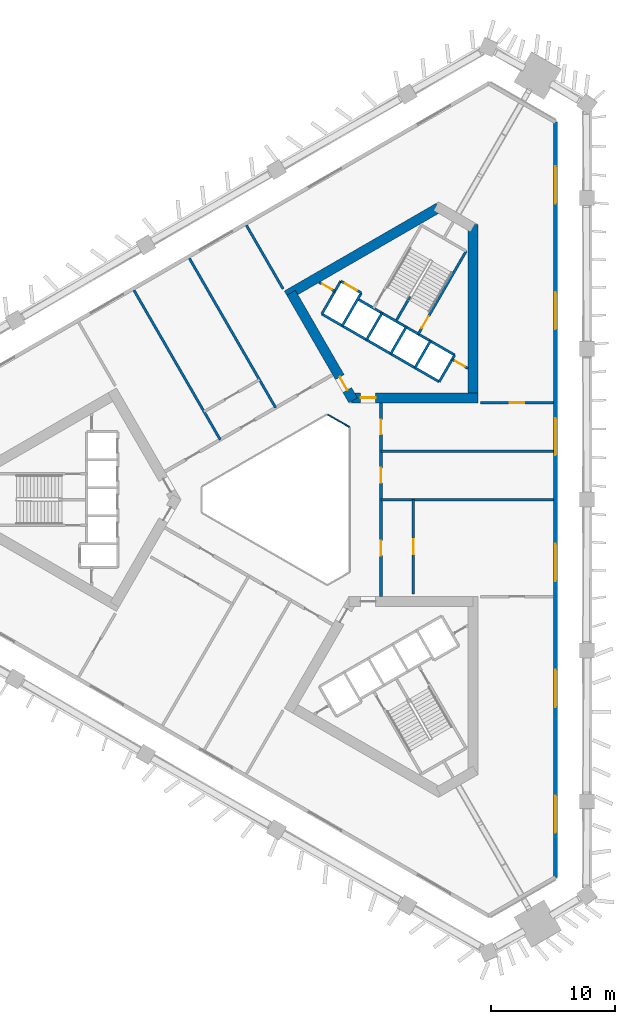
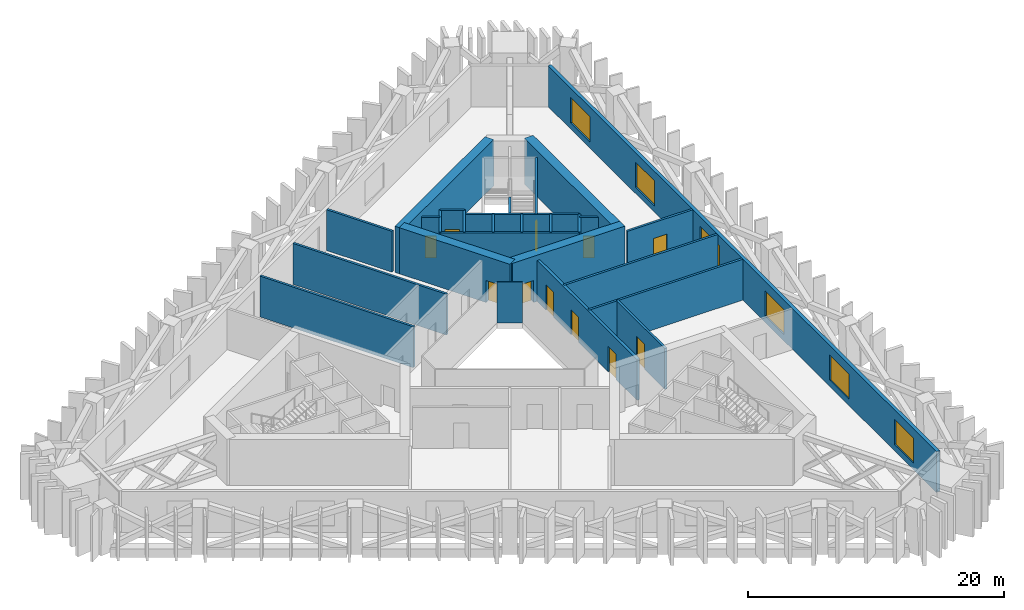
# One storey, part 6 of 9: 27 walls, 11 doors, 6 windows, 17 openings.
"""IFC4 building model written with IfcOpenShell, lengths in metres."""

from ifc_helpers import new_model, si_unit, direction, frame, frame_2d, origin, place, context, subcontext, project, spatial, rectangle, extrude, material, layer, layer_set, type_object, element, fill, save


model = new_model("IFC4")

# Units and contexts
model_context = context("Model", 3, precision=1e-05, world=origin(), true_north=direction((0.0, 1.0)))
body_context = subcontext(model_context, "Body", "Model", "MODEL_VIEW")
ifc_project = project(units=[si_unit("LENGTHUNIT", "METRE"), si_unit("AREAUNIT", "SQUARE_METRE"), si_unit("VOLUMEUNIT", "CUBIC_METRE"), si_unit("PLANEANGLEUNIT", "RADIAN"), si_unit("MASSUNIT", "GRAM", prefix="KILO")], contexts=[model_context])

# Site, building, storey
site_placement = place(None, origin())
site = spatial("IfcSite", under=ifc_project, at=site_placement, CompositionType="ELEMENT")
building_placement = place(site_placement, origin())
building = spatial("IfcBuilding", under=site, at=building_placement, Name="Jabali Bay Hotel Tower and Convention Centre", CompositionType="ELEMENT")
storey_placement = place(building_placement, frame((0.0, 0.0, 48.5)))
storey = spatial("IfcBuildingStorey", under=building, at=storey_placement, Name="L10", CompositionType="ELEMENT", Elevation=48.5)

# Wall
ifc_material_1 = material(Name="Fire-resistant glazing", Category="glass")
ifc_layer_1 = layer(ifc_material_1, 0.10009765625)
ifc_layer_set_1 = layer_set([ifc_layer_1], Name="Fire-resistant glazing")
wall_type_1 = type_object("IfcWallType", Name="Atrium glazed screen 100", PredefinedType="PARTITIONING", material=ifc_layer_set_1)
wall_1_placement = place(storey_placement, frame((79.530029296875, 85.84619140625, 0.0), z_axis=(0.0, 0.0, 1.0), x_axis=(-0.866041268327, 0.499972520799, 0.0)))
element("IfcWall", 1, at=wall_1_placement, inside=storey, type_object=wall_type_1, Name="Atrium screen 2 L10", PredefinedType="PARTITIONING", context=body_context, shape_type="SweptSolid", body=[
    extrude(rectangle(XDim=2.0, YDim=0.10009765625, at=frame_2d((1.0, 0.0))), origin(), (0.0, 0.0, 1.0), 3.89990234375),
])

# Wall, opening, door
ifc_material_2 = material(Name="Concrete C40", Category="concrete")
ifc_layer_2 = layer(ifc_material_2, 0.199951171875)
ifc_layer_set_2 = layer_set([ifc_layer_2], Name="Concrete C40")
wall_type_2 = type_object("IfcWallType", Name="Core partition wall 200", PredefinedType="PARTITIONING", material=ifc_layer_set_2)
wall_2_placement = place(storey_placement, frame((89.080078125, 90.553955078125, 0.0), z_axis=(0.0, 0.0, 1.0), x_axis=(-0.866022048785, 0.500005810984, 0.0)))
wall_2 = element("IfcWall", 2, at=wall_2_placement, inside=storey, type_object=wall_type_2, Name="Core wall 1.11 L10", PredefinedType="PARTITIONING", context=body_context, shape_type="SweptSolid", body=[
    extrude(rectangle(XDim=1.466796875, YDim=0.199951171875, at=frame_2d((0.7333984375, 0.0))), origin(), (0.0, 0.0, 1.0), 3.89990234375),
])
opening_1_placement = place(wall_2_placement, frame((0.283447265625, 0.0, 0.0)))
opening_1 = element("IfcOpeningElement", 3, at=opening_1_placement, cuts=wall_2, Name="Opening D297", PredefinedType="OPENING", context=body_context, shape_type="SweptSolid", body=[
    extrude(rectangle(XDim=0.89990234375, YDim=2.10009765625, at=frame_2d((0.449951171875, 1.050048828125))), frame((0.0, 0.1103515625, 0.0), z_axis=(0.0, -1.0, 0.0), x_axis=(1.0, 0.0, 0.0)), (0.0, 0.0, 1.0), 0.220947265625),
])
ifc_material_3 = material(Name="Fire-rated steel door", Category="steel")
door_type_1 = type_object("IfcDoorType", Name="Vestibule fire door 900 x 2100", OperationType="NOTDEFINED", PredefinedType="NOTDEFINED", material=ifc_material_3)
door_1_placement = place(opening_1_placement, origin())
door_1 = element("IfcDoor", 4, at=door_1_placement, inside=storey, type_object=door_type_1, Name="Vestibule fire door D297", OperationType="SINGLE_SWING_LEFT", OverallHeight=2.10009765625, OverallWidth=0.89990234375, PredefinedType="NOTDEFINED", context=body_context, shape_type="SweptSolid", body=[
    extrude(rectangle(XDim=0.89990234375, YDim=2.10009765625, at=frame_2d((0.449951171875, 1.050048828125))), frame((0.0, 0.02490234375, 0.0), z_axis=(0.0, -1.0, 0.0), x_axis=(1.0, 0.0, 0.0)), (0.0, 0.0, 1.0), 0.050048828125),
])
fill(opening_1, door_1)

wall_3_placement = place(storey_placement, frame((78.380126953125, 96.754638671875, 0.0), z_axis=(0.0, 0.0, 1.0), x_axis=(-0.866003949776, 0.500037157592, 0.0)))
wall_3 = element("IfcWall", 5, at=wall_3_placement, inside=storey, type_object=wall_type_2, Name="Core wall 1.12 L10", PredefinedType="PARTITIONING", context=body_context, shape_type="SweptSolid", body=[
    extrude(rectangle(XDim=1.455078125, YDim=0.199951171875, at=frame_2d((0.7275390625, 0.0))), origin(), (0.0, 0.0, 1.0), 3.89990234375),
])
opening_2_placement = place(wall_3_placement, frame((0.277587890625, 0.0, 0.0)))
opening_2 = element("IfcOpeningElement", 6, at=opening_2_placement, cuts=wall_3, Name="Opening D296", PredefinedType="OPENING", context=body_context, shape_type="SweptSolid", body=[
    extrude(rectangle(XDim=0.89990234375, YDim=2.10009765625, at=frame_2d((0.449951171875, 1.050048828125))), frame((0.0, 0.1103515625, 0.0), z_axis=(0.0, -1.0, 0.0), x_axis=(1.0, 0.0, 0.0)), (0.0, 0.0, 1.0), 0.220947265625),
])
door_2_placement = place(opening_2_placement, origin())
door_2 = element("IfcDoor", 7, at=door_2_placement, inside=storey, type_object=door_type_1, Name="Vestibule fire door D296", OperationType="SINGLE_SWING_LEFT", OverallHeight=2.10009765625, OverallWidth=0.89990234375, PredefinedType="NOTDEFINED", context=body_context, shape_type="SweptSolid", body=[
    extrude(rectangle(XDim=0.89990234375, YDim=2.10009765625, at=frame_2d((0.449951171875, 1.050048828125))), frame((0.0, 0.02490234375, 0.0), z_axis=(0.0, -1.0, 0.0), x_axis=(1.0, 0.0, 0.0)), (0.0, 0.0, 1.0), 0.050048828125),
])
fill(opening_2, door_2)

# Walls
ifc_layer_3 = layer(ifc_material_2, 0.199951171875)
ifc_layer_set_3 = layer_set([ifc_layer_3], Name="Concrete C40")
wall_type_3 = type_object("IfcWallType", Name="Core stair wall 200", PredefinedType="SOLIDWALL", material=ifc_layer_set_3)
for number, where, z_axis, x_axis, name in (
    (8, (86.769775390625, 89.48583984375, 0.0), (0.0, 0.0, 1.0), (0.499961042966, 0.86604789447, 0.0), "Core wall 1.0 L10"),
    (9, (84.8212890625, 90.61083984375, 0.0), (0.0, 0.0, 1.0), (0.499961042966, 0.86604789447, 0.0), "Core wall 1.1 L10"),
):
    element("IfcWall", number, at=place(storey_placement, frame(where, z_axis=z_axis, x_axis=x_axis)), inside=storey, type_object=wall_type_3, Name=name, PredefinedType="SOLIDWALL", context=body_context, shape_type="SweptSolid", body=[
        extrude(rectangle(XDim=2.480224609375, YDim=0.199951171875, at=frame_2d((1.240234375, 0.0))), origin(), (0.0, 0.0, 1.0), 3.89990234375),
    ])

# Wall, opening, door
wall_4_placement = place(storey_placement, frame((85.0869140625, 93.3212890625, 0.0), z_axis=(0.0, 0.0, 1.0), x_axis=(0.500019787375, 0.866013979237, 0.0)))
wall_4 = element("IfcWall", 10, at=wall_4_placement, inside=storey, type_object=wall_type_3, Name="Core wall 1.2 L10", PredefinedType="SOLIDWALL", context=body_context, shape_type="SweptSolid", body=[
    extrude(rectangle(XDim=7.699951171875, YDim=0.199951171875, at=frame_2d((3.85009765625, 0.0))), origin(), (0.0, 0.0, 1.0), 3.89990234375),
])
opening_3_placement = place(wall_4_placement, frame((0.550048828125, 0.0, 0.0)))
opening_3 = element("IfcOpeningElement", 11, at=opening_3_placement, cuts=wall_4, Name="Opening D299", PredefinedType="OPENING", context=body_context, shape_type="SweptSolid", body=[
    extrude(rectangle(XDim=1.10009765625, YDim=2.10009765625, at=frame_2d((0.550048828125, 1.050048828125))), frame((0.0, 0.1103515625, 0.0), z_axis=(0.0, -1.0, 0.0), x_axis=(1.0, 0.0, 0.0)), (0.0, 0.0, 1.0), 0.220947265625),
])
door_type_2 = type_object("IfcDoorType", Name="Stair fire door 1100 x 2100", OperationType="NOTDEFINED", PredefinedType="NOTDEFINED", material=ifc_material_3)
door_3_placement = place(opening_3_placement, origin())
door_3 = element("IfcDoor", 12, at=door_3_placement, inside=storey, type_object=door_type_2, Name="Stair fire door D299", OperationType="SINGLE_SWING_LEFT", OverallHeight=2.10009765625, OverallWidth=1.10009765625, PredefinedType="NOTDEFINED", context=body_context, shape_type="SweptSolid", body=[
    extrude(rectangle(XDim=1.10009765625, YDim=2.10009765625, at=frame_2d((0.550048828125, 1.050048828125))), frame((0.0, 0.02490234375, 0.0), z_axis=(0.0, -1.0, 0.0), x_axis=(1.0, 0.0, 0.0)), (0.0, 0.0, 1.0), 0.050048828125),
])
fill(opening_3, door_3)

# Walls
wall_5_placement = place(storey_placement, frame((82.872802734375, 91.73583984375, 0.0), z_axis=(0.0, 0.0, 1.0), x_axis=(0.499961042966, 0.86604789447, 0.0)))
element("IfcWall", 13, at=wall_5_placement, inside=storey, type_object=wall_type_3, Name="Core wall 1.3 L10", PredefinedType="SOLIDWALL", context=body_context, shape_type="SweptSolid", body=[
    extrude(rectangle(XDim=2.480224609375, YDim=0.199951171875, at=frame_2d((1.240234375, 0.0))), origin(), (0.0, 0.0, 1.0), 3.89990234375),
])
wall_6_placement = place(storey_placement, frame((83.340087890625, 94.4453125, 0.0), z_axis=(0.0, 0.0, 1.0), x_axis=(0.499946605688, 0.86605622881, 0.0)))
element("IfcWall", 14, at=wall_6_placement, inside=storey, type_object=wall_type_3, Name="Core wall 1.4 L10", PredefinedType="SOLIDWALL", context=body_context, shape_type="SweptSolid", body=[
    extrude(rectangle(XDim=2.199951171875, YDim=0.199951171875, at=frame_2d((1.10009765625, 0.0))), origin(), (0.0, 0.0, 1.0), 3.89990234375),
])
wall_7_placement = place(storey_placement, frame((80.924072265625, 92.86083984375, 0.0), z_axis=(0.0, 0.0, 1.0), x_axis=(0.499961042966, 0.86604789447, 0.0)))
element("IfcWall", 15, at=wall_7_placement, inside=storey, type_object=wall_type_3, Name="Core wall 1.6 L10", PredefinedType="SOLIDWALL", context=body_context, shape_type="SweptSolid", body=[
    extrude(rectangle(XDim=2.480224609375, YDim=0.199951171875, at=frame_2d((1.240234375, 0.0))), origin(), (0.0, 0.0, 1.0), 3.89990234375),
])
for number, where, z_axis, x_axis, name in (
    (16, (78.9755859375, 93.98583984375, 0.0), (0.0, 0.0, 1.0), (0.499944174705, 0.866057632134, 0.0), "Core wall 1.8 L10"),
    (17, (77.330078125, 94.93603515625, 0.0), (0.0, 0.0, 1.0), (0.500038867431, 0.8660029625, 0.0), "Core wall 1.9 L10"),
):
    element("IfcWall", number, at=place(storey_placement, frame(where, z_axis=z_axis, x_axis=x_axis)), inside=storey, type_object=wall_type_3, Name=name, PredefinedType="SOLIDWALL", context=body_context, shape_type="SweptSolid", body=[
        extrude(rectangle(XDim=3.050048828125, YDim=0.199951171875, at=frame_2d((1.52490234375, 0.0))), origin(), (0.0, 0.0, 1.0), 3.89990234375),
    ])
wall_8_placement = place(storey_placement, frame((86.769775390625, 89.48583984375, 0.0), z_axis=(0.0, 0.0, 1.0), x_axis=(-0.86601811187, 0.500012629753, 0.0)))
element("IfcWall", 18, at=wall_8_placement, inside=storey, type_object=wall_type_3, Name="Core wall 1.10 L10", PredefinedType="SOLIDWALL", context=body_context, shape_type="SweptSolid", body=[
    extrude(rectangle(XDim=10.900146484375, YDim=0.199951171875, at=frame_2d((5.4501953125, 0.0))), origin(), (0.0, 0.0, 1.0), 3.89990234375),
])
wall_9_placement = place(storey_placement, frame((88.009765625, 91.6337890625, 0.0), z_axis=(0.0, 0.0, 1.0), x_axis=(-0.866024315419, 0.5000018851, 0.0)))
element("IfcWall", 19, at=wall_9_placement, inside=storey, type_object=wall_type_3, Name="Core wall 1.13 L10", PredefinedType="SOLIDWALL", context=body_context, shape_type="SweptSolid", body=[
    extrude(rectangle(XDim=9.0, YDim=0.199951171875, at=frame_2d((4.5, 0.0))), origin(), (0.0, 0.0, 1.0), 3.89990234375),
])

# Wall, opening, door
wall_10_placement = place(storey_placement, frame((80.50048828125, 96.62744140625, 0.0), z_axis=(0.0, 0.0, 1.0), x_axis=(-0.86601224135, 0.500022797313, 0.0)))
wall_10 = element("IfcWall", 20, at=wall_10_placement, inside=storey, type_object=wall_type_3, Name="Core wall 1.14 L10", PredefinedType="SOLIDWALL", context=body_context, shape_type="SweptSolid", body=[
    extrude(rectangle(XDim=1.89990234375, YDim=0.199951171875, at=frame_2d((0.949951171875, 0.0))), origin(), (0.0, 0.0, 1.0), 3.89990234375),
])
opening_4_placement = place(wall_10_placement, frame((0.39990234375, 0.0, 0.0)))
opening_4 = element("IfcOpeningElement", 21, at=opening_4_placement, cuts=wall_10, Name="Opening LD10-L10", PredefinedType="OPENING", context=body_context, shape_type="SweptSolid", body=[
    extrude(rectangle(XDim=1.10009765625, YDim=2.10009765625, at=frame_2d((0.550048828125, 1.050048828125))), frame((0.0, 0.1103515625, 0.0), z_axis=(0.0, -1.0, 0.0), x_axis=(1.0, 0.0, 0.0)), (0.0, 0.0, 1.0), 0.220947265625),
])
ifc_material_4 = material(Name="Stainless steel landing door", Category="steel")
door_type_3 = type_object("IfcDoorType", Name="Landing door 1100 x 2100", OperationType="NOTDEFINED", PredefinedType="NOTDEFINED", material=ifc_material_4)
door_4_placement = place(opening_4_placement, origin())
door_4 = element("IfcDoor", 22, at=door_4_placement, inside=storey, type_object=door_type_3, Name="Landing doors LD10-L10", OperationType="SLIDING_TO_RIGHT", OverallHeight=2.10009765625, OverallWidth=1.10009765625, PredefinedType="NOTDEFINED", context=body_context, shape_type="SweptSolid", body=[
    extrude(rectangle(XDim=1.10009765625, YDim=2.10009765625, at=frame_2d((0.550048828125, 1.050048828125))), frame((0.0, 0.02490234375, 0.0), z_axis=(0.0, -1.0, 0.0), x_axis=(1.0, 0.0, 0.0)), (0.0, 0.0, 1.0), 0.050048828125),
])
fill(opening_4, door_4)

ifc_material_5 = material(Name="Concrete C60", Category="concrete")
ifc_layer_4 = layer(ifc_material_5, 0.800048828125)
ifc_layer_set_4 = layer_set([ifc_layer_4], Name="Concrete C60")
wall_type_4 = type_object("IfcWallType", Name="Core wall 800", PredefinedType="SHEAR", material=ifc_layer_set_4)
wall_11_placement = place(storey_placement, frame((79.73095703125, 88.1943359375, 0.0), z_axis=(0.0, 0.0, 1.0), x_axis=(1.0, 0.0, 0.0)))
wall_11 = element("IfcWall", 23, at=wall_11_placement, inside=storey, type_object=wall_type_4, Name="Core wall 2.1 L10", PredefinedType="SHEAR", context=body_context, shape_type="SweptSolid", body=[
    extrude(rectangle(XDim=10.14892578125, YDim=0.800048828125, at=frame_2d((5.074462890625, 0.0))), origin(), (0.0, 0.0, 1.0), 4.39990234375),
])
opening_5_placement = place(wall_11_placement, frame((0.718994140625, 0.0, 0.0)))
opening_5 = element("IfcOpeningElement", 24, at=opening_5_placement, cuts=wall_11, Name="Opening D294", PredefinedType="OPENING", context=body_context, shape_type="SweptSolid", body=[
    extrude(rectangle(XDim=1.199951171875, YDim=2.10009765625, at=frame_2d((0.60009765625, 1.050048828125))), frame((0.0, 0.41064453125, 0.0), z_axis=(0.0, -1.0, 0.0), x_axis=(1.0, 0.0, 0.0)), (0.0, 0.0, 1.0), 0.821044921875),
])
door_type_4 = type_object("IfcDoorType", Name="Corridor end fire door 1200 x 2100", OperationType="NOTDEFINED", PredefinedType="NOTDEFINED", material=ifc_material_3)
door_5_placement = place(opening_5_placement, origin())
door_5 = element("IfcDoor", 25, at=door_5_placement, inside=storey, type_object=door_type_4, Name="Corridor end fire door D294", OperationType="SINGLE_SWING_RIGHT", OverallHeight=2.10009765625, OverallWidth=1.199951171875, PredefinedType="NOTDEFINED", context=body_context, shape_type="SweptSolid", body=[
    extrude(rectangle(XDim=1.199951171875, YDim=2.10009765625, at=frame_2d((0.60009765625, 1.050048828125))), frame((0.0, 0.02490234375, 0.0), z_axis=(0.0, -1.0, 0.0), x_axis=(1.0, 0.0, 0.0)), (0.0, 0.0, 1.0), 0.050048828125),
])
fill(opening_5, door_5)

# Walls
wall_12_placement = place(storey_placement, frame((89.47998046875, 88.1943359375, 0.0), z_axis=(0.0, 0.0, 1.0), x_axis=(0.0, 1.0, 0.0)))
element("IfcWall", 26, at=wall_12_placement, inside=storey, type_object=wall_type_4, Name="Core wall 2.2 L10", PredefinedType="SHEAR", context=body_context, shape_type="SweptSolid", body=[
    extrude(rectangle(XDim=13.933349609375, YDim=0.800048828125, at=frame_2d((6.966796875, 0.0))), origin(), (0.0, 0.0, 1.0), 4.39990234375),
])
wall_13_placement = place(storey_placement, frame((86.72314453125, 103.48828125, 0.0), z_axis=(0.0, 0.0, 1.0), x_axis=(-0.866032504327, -0.499987701298, 0.0)))
element("IfcWall", 27, at=wall_13_placement, inside=storey, type_object=wall_type_4, Name="Core wall 2.4 L10", PredefinedType="SHEAR", context=body_context, shape_type="SweptSolid", body=[
    extrude(rectangle(XDim=14.102294921875, YDim=0.800048828125, at=frame_2d((7.05126953125, 0.0))), origin(), (0.0, 0.0, 1.0), 4.39990234375),
])

# Wall, opening, door
wall_14_placement = place(storey_placement, frame((74.8564453125, 96.63720703125, 0.0), z_axis=(0.0, 0.0, 1.0), x_axis=(0.499993500917, -0.866029155999, 0.0)))
wall_14 = element("IfcWall", 28, at=wall_14_placement, inside=storey, type_object=wall_type_4, Name="Core wall 2.5 L10", PredefinedType="SHEAR", context=body_context, shape_type="SweptSolid", body=[
    extrude(rectangle(XDim=9.980224609375, YDim=0.800048828125, at=frame_2d((4.990234375, 0.0))), origin(), (0.0, 0.0, 1.0), 4.39990234375),
])
opening_6_placement = place(wall_14_placement, frame((7.830078125, 0.0, 0.0)))
opening_6 = element("IfcOpeningElement", 29, at=opening_6_placement, cuts=wall_14, Name="Opening D295", PredefinedType="OPENING", context=body_context, shape_type="SweptSolid", body=[
    extrude(rectangle(XDim=1.199951171875, YDim=2.10009765625, at=frame_2d((0.60009765625, 1.050048828125))), frame((0.0, 0.41064453125, 0.0), z_axis=(0.0, -1.0, 0.0), x_axis=(1.0, 0.0, 0.0)), (0.0, 0.0, 1.0), 0.821044921875),
])
door_6_placement = place(opening_6_placement, origin())
door_6 = element("IfcDoor", 30, at=door_6_placement, inside=storey, type_object=door_type_4, Name="Corridor end fire door D295", OperationType="SINGLE_SWING_LEFT", OverallHeight=2.10009765625, OverallWidth=1.199951171875, PredefinedType="NOTDEFINED", context=body_context, shape_type="SweptSolid", body=[
    extrude(rectangle(XDim=1.199951171875, YDim=2.10009765625, at=frame_2d((0.60009765625, 1.050048828125))), frame((0.0, 0.02490234375, 0.0), z_axis=(0.0, -1.0, 0.0), x_axis=(1.0, 0.0, 0.0)), (0.0, 0.0, 1.0), 0.050048828125),
])
fill(opening_6, door_6)

# Wall, openings, doors
ifc_layer_5 = layer(ifc_material_5, 0.25)
ifc_layer_set_5 = layer_set([ifc_layer_5], Name="Concrete C60")
wall_type_5 = type_object("IfcWallType", Name="Corridor wall 250", PredefinedType="SHEAR", material=ifc_layer_set_5)
wall_15_placement = place(storey_placement, frame((82.10009765625, 72.205810546875, 0.0), z_axis=(0.0, 0.0, 1.0), x_axis=(0.0, 1.0, 0.0)))
wall_15 = element("IfcWall", 31, at=wall_15_placement, inside=storey, type_object=wall_type_5, Name="Corridor wall 1 L10", PredefinedType="SHEAR", context=body_context, shape_type="SweptSolid", body=[
    extrude(rectangle(XDim=15.58837890625, YDim=0.25, at=frame_2d((7.794189453125, 0.0))), origin(), (0.0, 0.0, 1.0), 3.89990234375),
])
opening_7_placement = place(wall_15_placement, frame((3.297119140625, 0.0, 0.0)))
opening_7 = element("IfcOpeningElement", 32, at=opening_7_placement, cuts=wall_15, Name="Opening 1001", PredefinedType="OPENING", context=body_context, shape_type="SweptSolid", body=[
    extrude(rectangle(XDim=1.199951171875, YDim=2.39990234375, at=frame_2d((0.60009765625, 1.199951171875))), frame((0.0, 0.135498046875, 0.0), z_axis=(0.0, -1.0, 0.0), x_axis=(1.0, 0.0, 0.0)), (0.0, 0.0, 1.0), 0.27099609375),
])
opening_8_placement = place(wall_15_placement, frame((9.142822265625, 0.0, 0.0)))
opening_8 = element("IfcOpeningElement", 33, at=opening_8_placement, cuts=wall_15, Name="Opening 1003", PredefinedType="OPENING", context=body_context, shape_type="SweptSolid", body=[
    extrude(rectangle(XDim=1.199951171875, YDim=2.39990234375, at=frame_2d((0.60009765625, 1.199951171875))), frame((0.0, 0.135498046875, 0.0), z_axis=(0.0, -1.0, 0.0), x_axis=(1.0, 0.0, 0.0)), (0.0, 0.0, 1.0), 0.27099609375),
])
opening_9_placement = place(wall_15_placement, frame((13.039794921875, 0.0, 0.0)))
opening_9 = element("IfcOpeningElement", 34, at=opening_9_placement, cuts=wall_15, Name="Opening 1004", PredefinedType="OPENING", context=body_context, shape_type="SweptSolid", body=[
    extrude(rectangle(XDim=1.199951171875, YDim=2.39990234375, at=frame_2d((0.60009765625, 1.199951171875))), frame((0.0, 0.135498046875, 0.0), z_axis=(0.0, -1.0, 0.0), x_axis=(1.0, 0.0, 0.0)), (0.0, 0.0, 1.0), 0.27099609375),
])
ifc_material_6 = material(Name="Timber", Category="wood")
door_type_5 = type_object("IfcDoorType", Name="Public room door 1200 x 2400", OperationType="NOTDEFINED", PredefinedType="NOTDEFINED", material=ifc_material_6)
door_7_placement = place(opening_8_placement, origin())
door_7 = element("IfcDoor", 35, at=door_7_placement, inside=storey, type_object=door_type_5, Name="Door 1003", OperationType="SINGLE_SWING_RIGHT", OverallHeight=2.39990234375, OverallWidth=1.199951171875, PredefinedType="NOTDEFINED", context=body_context, shape_type="SweptSolid", body=[
    extrude(rectangle(XDim=1.199951171875, YDim=2.39990234375, at=frame_2d((0.60009765625, 1.199951171875))), frame((0.0, 0.02490234375, 0.0), z_axis=(0.0, -1.0, 0.0), x_axis=(1.0, 0.0, 0.0)), (0.0, 0.0, 1.0), 0.050048828125),
])
fill(opening_8, door_7)
door_8_placement = place(opening_9_placement, origin())
door_8 = element("IfcDoor", 36, at=door_8_placement, inside=storey, type_object=door_type_5, Name="Door 1004", OperationType="SINGLE_SWING_RIGHT", OverallHeight=2.39990234375, OverallWidth=1.199951171875, PredefinedType="NOTDEFINED", context=body_context, shape_type="SweptSolid", body=[
    extrude(rectangle(XDim=1.199951171875, YDim=2.39990234375, at=frame_2d((0.60009765625, 1.199951171875))), frame((0.0, 0.02490234375, 0.0), z_axis=(0.0, -1.0, 0.0), x_axis=(1.0, 0.0, 0.0)), (0.0, 0.0, 1.0), 0.050048828125),
])
fill(opening_9, door_8)
ifc_material_7 = material(Name="Steel Q355B", Category="steel")
door_type_6 = type_object("IfcDoorType", Name="Refuge hall door 1200 x 2400", OperationType="NOTDEFINED", PredefinedType="NOTDEFINED", material=ifc_material_7)
door_9_placement = place(opening_7_placement, origin())
door_9 = element("IfcDoor", 37, at=door_9_placement, inside=storey, type_object=door_type_6, Name="Door 1001", OperationType="SINGLE_SWING_LEFT", OverallHeight=2.39990234375, OverallWidth=1.199951171875, PredefinedType="NOTDEFINED", context=body_context, shape_type="SweptSolid", body=[
    extrude(rectangle(XDim=1.199951171875, YDim=2.39990234375, at=frame_2d((0.60009765625, 1.199951171875))), frame((0.0, 0.02490234375, 0.0), z_axis=(0.0, -1.0, 0.0), x_axis=(1.0, 0.0, 0.0)), (0.0, 0.0, 1.0), 0.050048828125),
])
fill(opening_7, door_9)

# Wall, openings, windows
ifc_layer_6 = layer(ifc_material_2, 0.300048828125)
ifc_layer_set_6 = layer_set([ifc_layer_6], Name="Concrete C40")
wall_type_6 = type_object("IfcWallType", Name="External wall 300", PredefinedType="SOLIDWALL", material=ifc_layer_set_6)
wall_16_placement = place(storey_placement, frame((96.12646484375, 110.37548828125, 0.0), z_axis=(0.0, 0.0, 1.0), x_axis=(0.0, -1.0, 0.0)))
wall_16 = element("IfcWall", 38, at=wall_16_placement, inside=storey, type_object=wall_type_6, Name="External wall east face L10", PredefinedType="SOLIDWALL", context=body_context, shape_type="SweptSolid", body=[
    extrude(rectangle(XDim=60.7509765625, YDim=0.300048828125, at=frame_2d((30.37548828125, 0.0))), origin(), (0.0, 0.0, 1.0), 3.89990234375),
])
opening_10_placement = place(wall_16_placement, frame((3.5625, 0.0, 0.60009765625)))
opening_10 = element("IfcOpeningElement", 39, at=opening_10_placement, cuts=wall_16, Name="Opening W2", PredefinedType="OPENING", context=body_context, shape_type="SweptSolid", body=[
    extrude(rectangle(XDim=3.0, YDim=2.39990234375, at=frame_2d((1.5, 1.199951171875))), frame((0.0, 0.16064453125, 0.0), z_axis=(0.0, -1.0, 0.0), x_axis=(1.0, 0.0, 0.0)), (0.0, 0.0, 1.0), 0.321044921875),
])
opening_11_placement = place(wall_16_placement, frame((13.687744140625, 0.0, 0.60009765625)))
opening_11 = element("IfcOpeningElement", 40, at=opening_11_placement, cuts=wall_16, Name="Opening W2", PredefinedType="OPENING", context=body_context, shape_type="SweptSolid", body=[
    extrude(rectangle(XDim=3.0, YDim=2.39990234375, at=frame_2d((1.5, 1.199951171875))), frame((0.0, 0.16064453125, 0.0), z_axis=(0.0, -1.0, 0.0), x_axis=(1.0, 0.0, 0.0)), (0.0, 0.0, 1.0), 0.321044921875),
])
opening_12_placement = place(wall_16_placement, frame((23.812744140625, 0.0, 0.60009765625)))
opening_12 = element("IfcOpeningElement", 41, at=opening_12_placement, cuts=wall_16, Name="Opening W2", PredefinedType="OPENING", context=body_context, shape_type="SweptSolid", body=[
    extrude(rectangle(XDim=3.0, YDim=2.39990234375, at=frame_2d((1.5, 1.199951171875))), frame((0.0, 0.16064453125, 0.0), z_axis=(0.0, -1.0, 0.0), x_axis=(1.0, 0.0, 0.0)), (0.0, 0.0, 1.0), 0.321044921875),
])
opening_13_placement = place(wall_16_placement, frame((33.93798828125, 0.0, 0.60009765625)))
opening_13 = element("IfcOpeningElement", 42, at=opening_13_placement, cuts=wall_16, Name="Opening W2", PredefinedType="OPENING", context=body_context, shape_type="SweptSolid", body=[
    extrude(rectangle(XDim=3.0, YDim=2.39990234375, at=frame_2d((1.5, 1.199951171875))), frame((0.0, 0.16064453125, 0.0), z_axis=(0.0, -1.0, 0.0), x_axis=(1.0, 0.0, 0.0)), (0.0, 0.0, 1.0), 0.321044921875),
])
opening_14_placement = place(wall_16_placement, frame((44.063232421875, 0.0, 0.60009765625)))
opening_14 = element("IfcOpeningElement", 43, at=opening_14_placement, cuts=wall_16, Name="Opening W2", PredefinedType="OPENING", context=body_context, shape_type="SweptSolid", body=[
    extrude(rectangle(XDim=3.0, YDim=2.39990234375, at=frame_2d((1.5, 1.199951171875))), frame((0.0, 0.16064453125, 0.0), z_axis=(0.0, -1.0, 0.0), x_axis=(1.0, 0.0, 0.0)), (0.0, 0.0, 1.0), 0.321044921875),
])
opening_15_placement = place(wall_16_placement, frame((54.188232421875, 0.0, 0.60009765625)))
opening_15 = element("IfcOpeningElement", 44, at=opening_15_placement, cuts=wall_16, Name="Opening W2", PredefinedType="OPENING", context=body_context, shape_type="SweptSolid", body=[
    extrude(rectangle(XDim=3.0, YDim=2.39990234375, at=frame_2d((1.5, 1.199951171875))), frame((0.0, 0.16064453125, 0.0), z_axis=(0.0, -1.0, 0.0), x_axis=(1.0, 0.0, 0.0)), (0.0, 0.0, 1.0), 0.321044921875),
])
ifc_material_8 = material(Name="Aluminium", Category="aluminium")
window_type = type_object("IfcWindowType", Name="Louvred ventilation panel 3000 x 2400", PartitioningType="SINGLE_PANEL", PredefinedType="WINDOW", material=ifc_material_8)
window_1_placement = place(opening_10_placement, origin())
window_1 = element("IfcWindow", 45, at=window_1_placement, inside=storey, type_object=window_type, Name="Louvred panel 1", OverallHeight=2.39990234375, OverallWidth=3.0, PartitioningType="SINGLE_PANEL", PredefinedType="WINDOW", context=body_context, shape_type="SweptSolid", body=[
    extrude(rectangle(XDim=3.0, YDim=2.39990234375, at=frame_2d((1.5, 1.199951171875))), frame((0.0, 0.030029296875, 0.0), z_axis=(0.0, -1.0, 0.0), x_axis=(1.0, 0.0, 0.0)), (0.0, 0.0, 1.0), 0.06005859375),
])
fill(opening_10, window_1)
window_2_placement = place(opening_11_placement, origin())
window_2 = element("IfcWindow", 46, at=window_2_placement, inside=storey, type_object=window_type, Name="Louvred panel 2", OverallHeight=2.39990234375, OverallWidth=3.0, PartitioningType="SINGLE_PANEL", PredefinedType="WINDOW", context=body_context, shape_type="SweptSolid", body=[
    extrude(rectangle(XDim=3.0, YDim=2.39990234375, at=frame_2d((1.5, 1.199951171875))), frame((0.0, 0.030029296875, 0.0), z_axis=(0.0, -1.0, 0.0), x_axis=(1.0, 0.0, 0.0)), (0.0, 0.0, 1.0), 0.06005859375),
])
fill(opening_11, window_2)
window_3_placement = place(opening_12_placement, origin())
window_3 = element("IfcWindow", 47, at=window_3_placement, inside=storey, type_object=window_type, Name="Louvred panel 3", OverallHeight=2.39990234375, OverallWidth=3.0, PartitioningType="SINGLE_PANEL", PredefinedType="WINDOW", context=body_context, shape_type="SweptSolid", body=[
    extrude(rectangle(XDim=3.0, YDim=2.39990234375, at=frame_2d((1.5, 1.199951171875))), frame((0.0, 0.030029296875, 0.0), z_axis=(0.0, -1.0, 0.0), x_axis=(1.0, 0.0, 0.0)), (0.0, 0.0, 1.0), 0.06005859375),
])
fill(opening_12, window_3)
window_4_placement = place(opening_13_placement, origin())
window_4 = element("IfcWindow", 48, at=window_4_placement, inside=storey, type_object=window_type, Name="Louvred panel 4", OverallHeight=2.39990234375, OverallWidth=3.0, PartitioningType="SINGLE_PANEL", PredefinedType="WINDOW", context=body_context, shape_type="SweptSolid", body=[
    extrude(rectangle(XDim=3.0, YDim=2.39990234375, at=frame_2d((1.5, 1.199951171875))), frame((0.0, 0.030029296875, 0.0), z_axis=(0.0, -1.0, 0.0), x_axis=(1.0, 0.0, 0.0)), (0.0, 0.0, 1.0), 0.06005859375),
])
fill(opening_13, window_4)
window_5_placement = place(opening_14_placement, origin())
window_5 = element("IfcWindow", 49, at=window_5_placement, inside=storey, type_object=window_type, Name="Louvred panel 5", OverallHeight=2.39990234375, OverallWidth=3.0, PartitioningType="SINGLE_PANEL", PredefinedType="WINDOW", context=body_context, shape_type="SweptSolid", body=[
    extrude(rectangle(XDim=3.0, YDim=2.39990234375, at=frame_2d((1.5, 1.199951171875))), frame((0.0, 0.030029296875, 0.0), z_axis=(0.0, -1.0, 0.0), x_axis=(1.0, 0.0, 0.0)), (0.0, 0.0, 1.0), 0.06005859375),
])
fill(opening_14, window_5)
window_6_placement = place(opening_15_placement, origin())
window_6 = element("IfcWindow", 50, at=window_6_placement, inside=storey, type_object=window_type, Name="Louvred panel 6", OverallHeight=2.39990234375, OverallWidth=3.0, PartitioningType="SINGLE_PANEL", PredefinedType="WINDOW", context=body_context, shape_type="SweptSolid", body=[
    extrude(rectangle(XDim=3.0, YDim=2.39990234375, at=frame_2d((1.5, 1.199951171875))), frame((0.0, 0.030029296875, 0.0), z_axis=(0.0, -1.0, 0.0), x_axis=(1.0, 0.0, 0.0)), (0.0, 0.0, 1.0), 0.06005859375),
])
fill(opening_15, window_6)

# Wall
ifc_material_9 = material(Name="Plasterboard on steel stud", Category="steel")
ifc_layer_7 = layer(ifc_material_9, 0.199951171875)
ifc_layer_set_7 = layer_set([ifc_layer_7], Name="Plasterboard on steel stud")
wall_type_7 = type_object("IfcWallType", Name="Partition 200 party", PredefinedType="PARTITIONING", material=ifc_layer_set_7)
wall_17_placement = place(storey_placement, frame((95.9775390625, 83.897216796875, 0.0), z_axis=(0.0, 0.0, 1.0), x_axis=(-1.0, 0.0, 0.0)))
element("IfcWall", 51, at=wall_17_placement, inside=storey, type_object=wall_type_7, Name="Partition P01 L10 004", PredefinedType="PARTITIONING", context=body_context, shape_type="SweptSolid", body=[
    extrude(rectangle(XDim=13.87744140625, YDim=0.199951171875, at=frame_2d((6.938720703125, 0.0))), origin(), (0.0, 0.0, 1.0), 3.89990234375),
])

# Wall, opening, door
ifc_layer_8 = layer(ifc_material_9, 0.199951171875)
ifc_layer_set_8 = layer_set([ifc_layer_8], Name="Plasterboard on steel stud")
wall_type_8 = type_object("IfcWallType", Name="Partition 200 plant", PredefinedType="PARTITIONING", material=ifc_layer_set_8)
wall_18_placement = place(storey_placement, frame((90.0791015625, 87.794189453125, 0.0), z_axis=(0.0, 0.0, 1.0), x_axis=(1.0, 0.0, 0.0)))
wall_18 = element("IfcWall", 52, at=wall_18_placement, inside=storey, type_object=wall_type_8, Name="Partition P04 L10 005", PredefinedType="PARTITIONING", context=body_context, shape_type="SweptSolid", body=[
    extrude(rectangle(XDim=5.8984375, YDim=0.199951171875, at=frame_2d((2.94921875, 0.0))), origin(), (0.0, 0.0, 1.0), 3.89990234375),
])
opening_16_placement = place(wall_18_placement, frame((2.34912109375, 0.0, 0.0)))
opening_16 = element("IfcOpeningElement", 53, at=opening_16_placement, cuts=wall_18, Name="Opening 1014", PredefinedType="OPENING", context=body_context, shape_type="SweptSolid", body=[
    extrude(rectangle(XDim=1.199951171875, YDim=2.39990234375, at=frame_2d((0.60009765625, 1.199951171875))), frame((0.0, 0.1103515625, 0.0), z_axis=(0.0, -1.0, 0.0), x_axis=(1.0, 0.0, 0.0)), (0.0, 0.0, 1.0), 0.220947265625),
])
door_10_placement = place(opening_16_placement, origin())
door_10 = element("IfcDoor", 54, at=door_10_placement, inside=storey, type_object=door_type_5, Name="Door 1014", OperationType="SINGLE_SWING_RIGHT", OverallHeight=2.39990234375, OverallWidth=1.199951171875, PredefinedType="NOTDEFINED", context=body_context, shape_type="SweptSolid", body=[
    extrude(rectangle(XDim=1.199951171875, YDim=2.39990234375, at=frame_2d((0.60009765625, 1.199951171875))), frame((0.0, 0.02490234375, 0.0), z_axis=(0.0, -1.0, 0.0), x_axis=(1.0, 0.0, 0.0)), (0.0, 0.0, 1.0), 0.050048828125),
])
fill(opening_16, door_10)

# Wall
wall_19_placement = place(storey_placement, frame((71.26123046875, 102.064208984375, 0.0), z_axis=(0.0, 0.0, 1.0), x_axis=(0.499985191823, -0.866033953121, 0.0)))
element("IfcWall", 55, at=wall_19_placement, inside=storey, type_object=wall_type_8, Name="Partition P04 L10 007", PredefinedType="PARTITIONING", context=body_context, shape_type="SweptSolid", body=[
    extrude(rectangle(XDim=5.898681640625, YDim=0.199951171875, at=frame_2d((2.94921875, 0.0))), origin(), (0.0, 0.0, 1.0), 3.89990234375),
])

# Wall, opening, door
ifc_layer_9 = layer(ifc_material_9, 0.199951171875)
ifc_layer_set_9 = layer_set([ifc_layer_9], Name="Plasterboard on steel stud")
wall_type_9 = type_object("IfcWallType", Name="Partition 200 refuge", PredefinedType="PARTITIONING", material=ifc_layer_set_9)
wall_20_placement = place(storey_placement, frame((84.699951171875, 72.40478515625, 0.0), z_axis=(0.0, 0.0, 1.0), x_axis=(0.0, 1.0, 0.0)))
wall_20 = element("IfcWall", 56, at=wall_20_placement, inside=storey, type_object=wall_type_9, Name="Partition P05 L10 001", PredefinedType="PARTITIONING", context=body_context, shape_type="SweptSolid", body=[
    extrude(rectangle(XDim=7.59521484375, YDim=0.199951171875, at=frame_2d((3.797607421875, 0.0))), origin(), (0.0, 0.0, 1.0), 3.89990234375),
])
opening_17_placement = place(wall_20_placement, frame((3.197998046875, 0.0, 0.0)))
opening_17 = element("IfcOpeningElement", 57, at=opening_17_placement, cuts=wall_20, Name="Opening 1002", PredefinedType="OPENING", context=body_context, shape_type="SweptSolid", body=[
    extrude(rectangle(XDim=1.199951171875, YDim=2.39990234375, at=frame_2d((0.60009765625, 1.199951171875))), frame((0.0, 0.1103515625, 0.0), z_axis=(0.0, -1.0, 0.0), x_axis=(1.0, 0.0, 0.0)), (0.0, 0.0, 1.0), 0.220947265625),
])
door_11_placement = place(opening_17_placement, origin())
door_11 = element("IfcDoor", 58, at=door_11_placement, inside=storey, type_object=door_type_6, Name="Door 1002", OperationType="SINGLE_SWING_RIGHT", OverallHeight=2.39990234375, OverallWidth=1.199951171875, PredefinedType="NOTDEFINED", context=body_context, shape_type="SweptSolid", body=[
    extrude(rectangle(XDim=1.199951171875, YDim=2.39990234375, at=frame_2d((0.60009765625, 1.199951171875))), frame((0.0, 0.02490234375, 0.0), z_axis=(0.0, -1.0, 0.0), x_axis=(1.0, 0.0, 0.0)), (0.0, 0.0, 1.0), 0.050048828125),
])
fill(opening_17, door_11)

# Walls
wall_21_placement = place(storey_placement, frame((95.9775390625, 80.0, 0.0), z_axis=(0.0, 0.0, 1.0), x_axis=(-1.0, 0.0, 0.0)))
element("IfcWall", 59, at=wall_21_placement, inside=storey, type_object=wall_type_9, Name="Partition P05 L10 002", PredefinedType="PARTITIONING", context=body_context, shape_type="SweptSolid", body=[
    extrude(rectangle(XDim=13.87744140625, YDim=0.199951171875, at=frame_2d((6.938720703125, 0.0))), origin(), (0.0, 0.0, 1.0), 3.89990234375),
])
wall_22_placement = place(storey_placement, frame((66.671142578125, 99.4140625, 0.0), z_axis=(0.0, 0.0, 1.0), x_axis=(0.500010269051, -0.866019474864, 0.0)))
element("IfcWall", 60, at=wall_22_placement, inside=storey, type_object=wall_type_9, Name="Partition P05 L10 006", PredefinedType="PARTITIONING", context=body_context, shape_type="SweptSolid", body=[
    extrude(rectangle(XDim=13.877685546875, YDim=0.199951171875, at=frame_2d((6.93896484375, 0.0))), origin(), (0.0, 0.0, 1.0), 3.89990234375),
])
wall_23_placement = place(storey_placement, frame((62.21630859375, 96.842041015625, 0.0), z_axis=(0.0, 0.0, 1.0), x_axis=(0.499997074782, -0.866027092653, 0.0)))
element("IfcWall", 61, at=wall_23_placement, inside=storey, type_object=wall_type_9, Name="Partition P05 L10 009", PredefinedType="PARTITIONING", context=body_context, shape_type="SweptSolid", body=[
    extrude(rectangle(XDim=13.87744140625, YDim=0.199951171875, at=frame_2d((6.938720703125, 0.0))), origin(), (0.0, 0.0, 1.0), 3.89990234375),
])

save(model, "model.ifc")
